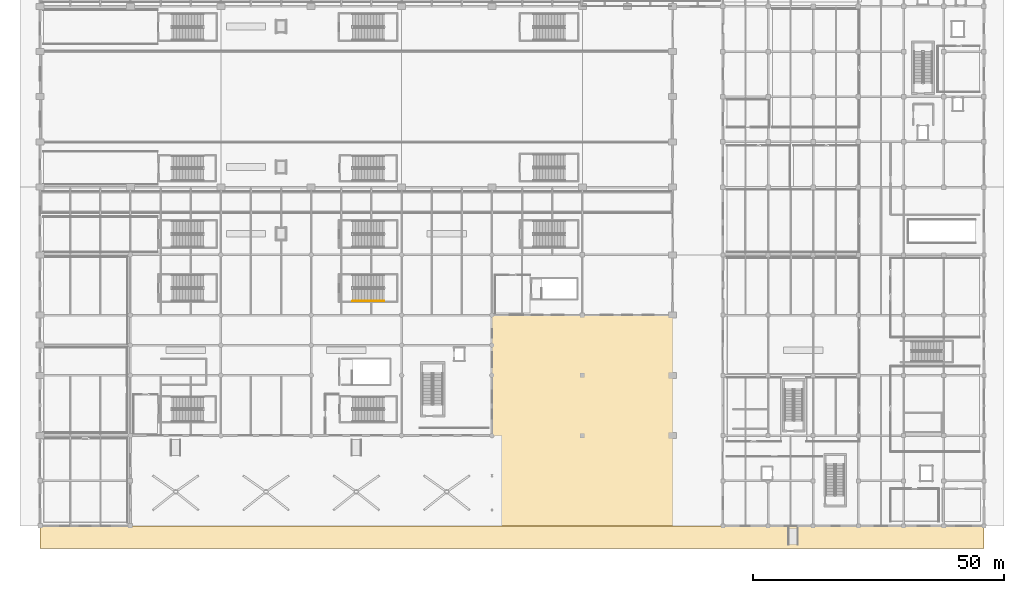
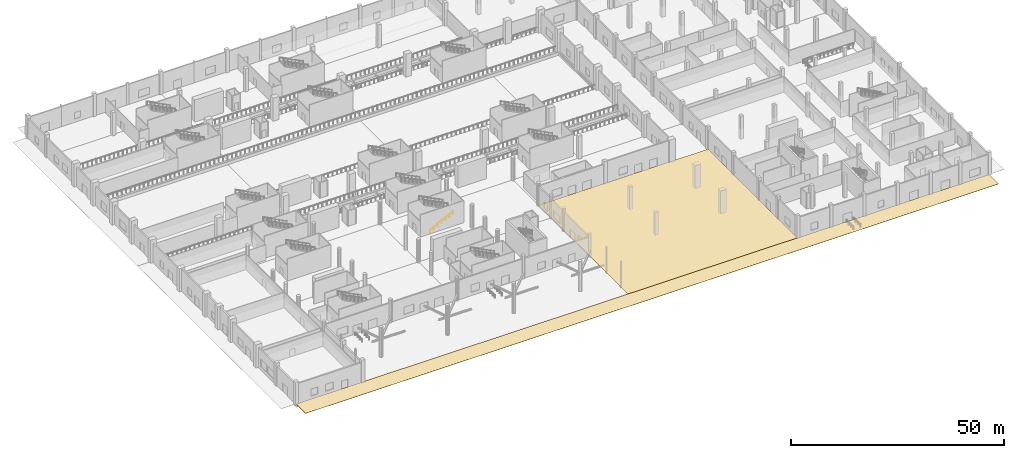
# One storey, part 40 of 65: 2 coverings, 1 railing.
"""IFC4 building model written with IfcOpenShell, lengths in metres."""

from ifc_helpers import new_model, si_unit, direction, frame, origin, origin_2d, place, context, subcontext, project, spatial, polyline, circle, outline, extrude, material, layer, layer_set, type_object, element, save


model = new_model("IFC4")

# Units and contexts
model_context = context("Model", 3, precision=1e-05, world=origin(), true_north=direction((0.0, 1.0)))
body_context = subcontext(model_context, "Body", "Model", "MODEL_VIEW")
ifc_project = project(units=[si_unit("LENGTHUNIT", "METRE"), si_unit("AREAUNIT", "SQUARE_METRE"), si_unit("VOLUMEUNIT", "CUBIC_METRE"), si_unit("PLANEANGLEUNIT", "RADIAN"), si_unit("MASSUNIT", "GRAM", prefix="KILO")], contexts=[model_context])

# Site, building, storey
site_placement = place(None, origin())
site = spatial("IfcSite", under=ifc_project, at=site_placement, CompositionType="ELEMENT")
building_placement = place(site_placement, origin())
building = spatial("IfcBuilding", under=site, at=building_placement, Name="Chuanluo Vaults Station", CompositionType="ELEMENT")
storey_placement = place(building_placement, origin())
storey = spatial("IfcBuildingStorey", under=building, at=storey_placement, Name="L00", CompositionType="ELEMENT", Elevation=0.0)

# Coverings
ifc_material_1 = material(Name="Granite stone flooring", Category="masonry")
ifc_layer = layer(ifc_material_1, 0.034912109375)
ifc_layer_set = layer_set([ifc_layer], Name="Granite stone flooring")
covering_type = type_object("IfcCoveringType", Name="COV-FLOR-GRAN", PredefinedType="FLOORING", material=ifc_layer_set)
covering_1_placement = place(storey_placement, frame((0.0, 0.0, -0.0400390625)))
element("IfcCovering", 1, at=covering_1_placement, inside=storey, type_object=covering_type, Name="Exterior plaza granite paving SEAST", PredefinedType="FLOORING", context=body_context, shape_type="SweptSolid", body=[
    extrude(outline(polyline([(90.0, 0.0), (136.0, 0.0), (136.0, 42.0), (90.0, 42.0), (90.0, 0.0)])), origin(), (0.0, 0.0, 1.0), 0.0400390625),
])
covering_2_placement = place(storey_placement, frame((0.0, 0.0, -0.0400390625)))
element("IfcCovering", 2, at=covering_2_placement, inside=storey, type_object=covering_type, Name="Exterior plaza granite paving SOUTH", PredefinedType="FLOORING", context=body_context, shape_type="SweptSolid", body=[
    extrude(outline(polyline([(0.0, -4.5), (188.0, -4.5), (188.0, 0.0), (0.0, 0.0), (0.0, -4.5)])), origin(), (0.0, 0.0, 1.0), 0.0400390625),
])

# Railing
ifc_material_2 = material(Name="Brushed stainless steel 304", Category="steel")
railing_type = type_object("IfcRailingType", Name="RLG-HAND-900", PredefinedType="HANDRAIL", material=ifc_material_2)
railing_placement = place(storey_placement, frame((62.25, 44.800048828125, 0.14990234375)))
element("IfcRailing", 3, at=railing_placement, inside=storey, type_object=railing_type, Name="L00 ST-21 stair handrail 1", PredefinedType="HANDRAIL", context=body_context, shape_type="SweptSolid", body=[
    extrude(circle(Radius=0.02392578125, at=origin_2d()), frame((0.0, 0.0, 0.8759765625), z_axis=(0.894420258746, 0.0, 0.44722745974), x_axis=(0.0, 1.0, 0.0)), (0.0, 0.0, 1.0), 7.043701171875),
    extrude(circle(Radius=0.02099609375, at=origin_2d()), origin(), (0.0, 0.0, 1.0), 0.851806640625),
    extrude(circle(Radius=0.02099609375, at=origin_2d()), frame((1.050048828125, 0.0, 0.52490234375)), (0.0, 0.0, 1.0), 0.851806640625),
    extrude(circle(Radius=0.02099609375, at=origin_2d()), frame((2.10009765625, 0.0, 1.050048828125)), (0.0, 0.0, 1.0), 0.851806640625),
    extrude(circle(Radius=0.02099609375, at=origin_2d()), frame((3.14990234375, 0.0, 1.5751953125)), (0.0, 0.0, 1.0), 0.851806640625),
    extrude(circle(Radius=0.02099609375, at=origin_2d()), frame((4.199951171875, 0.0, 2.10009765625)), (0.0, 0.0, 1.0), 0.851806640625),
    extrude(circle(Radius=0.02099609375, at=origin_2d()), frame((5.25, 0.0, 2.625)), (0.0, 0.0, 1.0), 0.851806640625),
    extrude(circle(Radius=0.02099609375, at=origin_2d()), frame((6.300048828125, 0.0, 3.150146484375)), (0.0, 0.0, 1.0), 0.851806640625),
])

save(model, "model.ifc")
